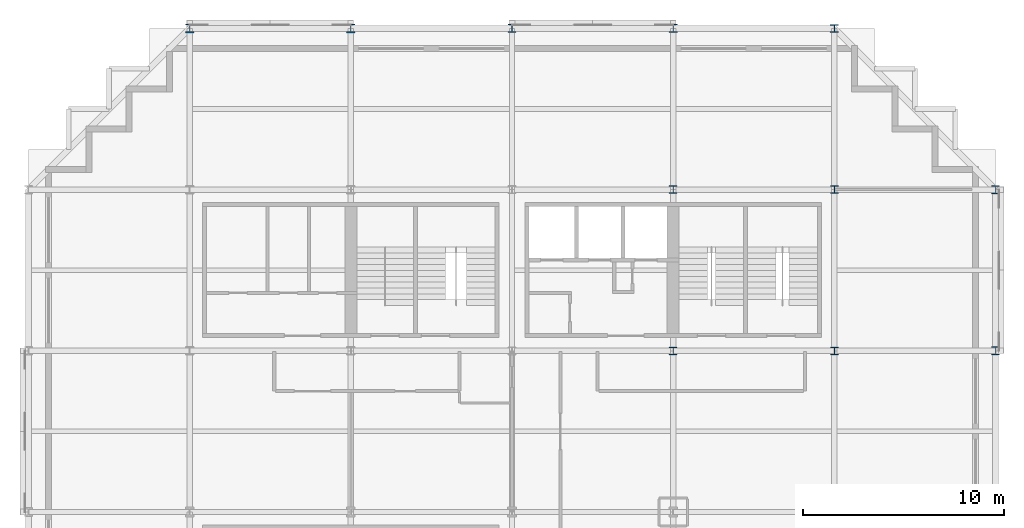
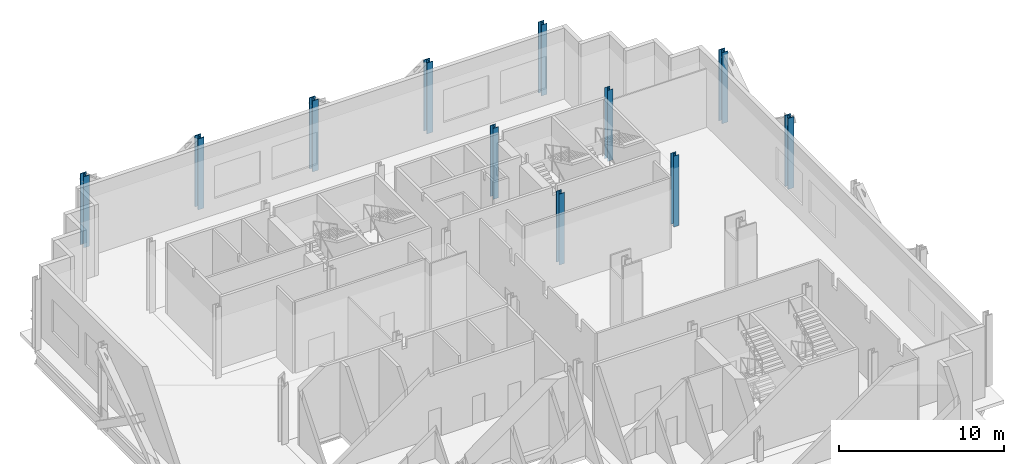
# One storey, part 2 of 10: 11 columns.
"""IFC4 building model written with IfcOpenShell, lengths in metres."""

from ifc_helpers import new_model, si_unit, direction, frame, origin, origin_2d, place, context, subcontext, project, spatial, i_section, extrude, material, material_profile, profile_set, type_object, element, save


model = new_model("IFC4")

# Units and contexts
model_context = context("Model", 3, precision=1e-05, world=origin(), true_north=direction((0.0, 1.0)))
body_context = subcontext(model_context, "Body", "Model", "MODEL_VIEW")
ifc_project = project(units=[si_unit("LENGTHUNIT", "METRE"), si_unit("AREAUNIT", "SQUARE_METRE"), si_unit("VOLUMEUNIT", "CUBIC_METRE"), si_unit("PLANEANGLEUNIT", "RADIAN"), si_unit("MASSUNIT", "GRAM", prefix="KILO")], contexts=[model_context])

# Site, building, storey
site_placement = place(None, origin())
site = spatial("IfcSite", under=ifc_project, at=site_placement, CompositionType="ELEMENT")
building_placement = place(site_placement, origin())
building = spatial("IfcBuilding", under=site, at=building_placement, Name="Immortelle Media Tower", CompositionType="ELEMENT")
storey_placement = place(building_placement, frame((0.0, 0.0, 29.39990234375)))
storey = spatial("IfcBuildingStorey", under=building, at=storey_placement, Name="L03", CompositionType="ELEMENT", Elevation=29.39990234375)

# Columns
ifc_material = material(Name="Steel ASTM A992 Gr 50", Category="steel")
ifc_material_profile_1 = material_profile(ifc_material, i_section(OverallWidth=0.373046875, OverallDepth=0.367919921875, WebThickness=0.014892578125, FlangeThickness=0.02392578125, at=origin_2d()), Name="W14x120")
ifc_profile_set_1 = profile_set([ifc_material_profile_1], Name="Steel ASTM A992 Gr 50")
column_type_1 = type_object("IfcColumnType", Name="W14x120 column", PredefinedType="COLUMN", material=ifc_profile_set_1)
for number, where, z_axis, x_axis, name in (
    (1, (32.0, 32.0, 0.0), (0.0, 0.0, 1.0), (1.0, 0.0, 0.0), "Column 5/E"),
    (2, (32.0, 40.0, 0.0), (0.0, 0.0, 1.0), (1.0, 0.0, 0.0), "Column 5/F"),
    (3, (40.0, 32.0, 0.0), (0.0, 0.0, 1.0), (1.0, 0.0, 0.0), "Column 6/E"),
    (4, (40.0, 40.0, 0.0), (0.0, 0.0, 1.0), (1.0, 0.0, 0.0), "Column 6/F"),
):
    element("IfcColumn", number, at=place(storey_placement, frame(where, z_axis=z_axis, x_axis=x_axis)), inside=storey, type_object=column_type_1, Name=name, PredefinedType="COLUMN", context=body_context, shape_type="SweptSolid", body=[
        extrude(i_section(OverallWidth=0.373046875, OverallDepth=0.367919921875, WebThickness=0.014892578125, FlangeThickness=0.02392578125, at=origin_2d()), origin(), (0.0, 0.0, 1.0), 5.25),
    ])
ifc_material_profile_2 = material_profile(ifc_material, i_section(OverallWidth=0.39892578125, OverallDepth=0.385986328125, WebThickness=0.02099609375, FlangeThickness=0.032958984375, at=origin_2d()), Name="W14x176")
ifc_profile_set_2 = profile_set([ifc_material_profile_2], Name="Steel ASTM A992 Gr 50")
column_type_2 = type_object("IfcColumnType", Name="W14x176 column", PredefinedType="COLUMN", material=ifc_profile_set_2)
column_placement = place(storey_placement, frame((40.0, 48.0, 0.0), z_axis=(0.0, 0.0, 1.0), x_axis=(1.0, 0.0, 0.0)))
element("IfcColumn", 5, at=column_placement, inside=storey, type_object=column_type_2, Name="Column 6/G", PredefinedType="COLUMN", context=body_context, shape_type="SweptSolid", body=[
    extrude(i_section(OverallWidth=0.39892578125, OverallDepth=0.385986328125, WebThickness=0.02099609375, FlangeThickness=0.032958984375, at=origin_2d()), origin(), (0.0, 0.0, 1.0), 5.25),
])
ifc_material_profile_3 = material_profile(ifc_material, i_section(OverallWidth=0.406005859375, OverallDepth=0.4169921875, WebThickness=0.030029296875, FlangeThickness=0.048095703125, at=origin_2d()), Name="W14x257")
ifc_profile_set_3 = profile_set([ifc_material_profile_3], Name="Steel ASTM A992 Gr 50")
column_type_3 = type_object("IfcColumnType", Name="W14x257 column", PredefinedType="COLUMN", material=ifc_profile_set_3)
for number, where, z_axis, x_axis, name in (
    (6, (24.0, 48.0, 0.0), (0.0, 0.0, 1.0), (1.0, 0.0, 0.0), "Column 4/G"),
    (7, (32.0, 48.0, 0.0), (0.0, 0.0, 1.0), (1.0, 0.0, 0.0), "Column 5/G"),
    (8, (48.0, 32.0, 0.0), (0.0, 0.0, 1.0), (1.0, 0.0, 0.0), "Column 7/E"),
    (9, (48.0, 40.0, 0.0), (0.0, 0.0, 1.0), (1.0, 0.0, 0.0), "Column 7/F"),
):
    element("IfcColumn", number, at=place(storey_placement, frame(where, z_axis=z_axis, x_axis=x_axis)), inside=storey, type_object=column_type_3, Name=name, PredefinedType="COLUMN", context=body_context, shape_type="SweptSolid", body=[
        extrude(i_section(OverallWidth=0.406005859375, OverallDepth=0.4169921875, WebThickness=0.030029296875, FlangeThickness=0.048095703125, at=origin_2d()), origin(), (0.0, 0.0, 1.0), 5.25),
    ])
ifc_material_profile_4 = material_profile(ifc_material, i_section(OverallWidth=0.410888671875, OverallDepth=0.43408203125, WebThickness=0.035888671875, FlangeThickness=0.056884765625, at=origin_2d()), Name="W14x311")
ifc_profile_set_4 = profile_set([ifc_material_profile_4], Name="Steel ASTM A992 Gr 50")
column_type_4 = type_object("IfcColumnType", Name="W14x311 column", PredefinedType="COLUMN", material=ifc_profile_set_4)
for number, where, z_axis, x_axis, name in (
    (10, (8.0, 48.0, 0.0), (0.0, 0.0, 1.0), (1.0, 0.0, 0.0), "Column 2/G"),
    (11, (16.0, 48.0, 0.0), (0.0, 0.0, 1.0), (1.0, 0.0, 0.0), "Column 3/G"),
):
    element("IfcColumn", number, at=place(storey_placement, frame(where, z_axis=z_axis, x_axis=x_axis)), inside=storey, type_object=column_type_4, Name=name, PredefinedType="COLUMN", context=body_context, shape_type="SweptSolid", body=[
        extrude(i_section(OverallWidth=0.410888671875, OverallDepth=0.43408203125, WebThickness=0.035888671875, FlangeThickness=0.056884765625, at=origin_2d()), origin(), (0.0, 0.0, 1.0), 5.25),
    ])

save(model, "model.ifc")
